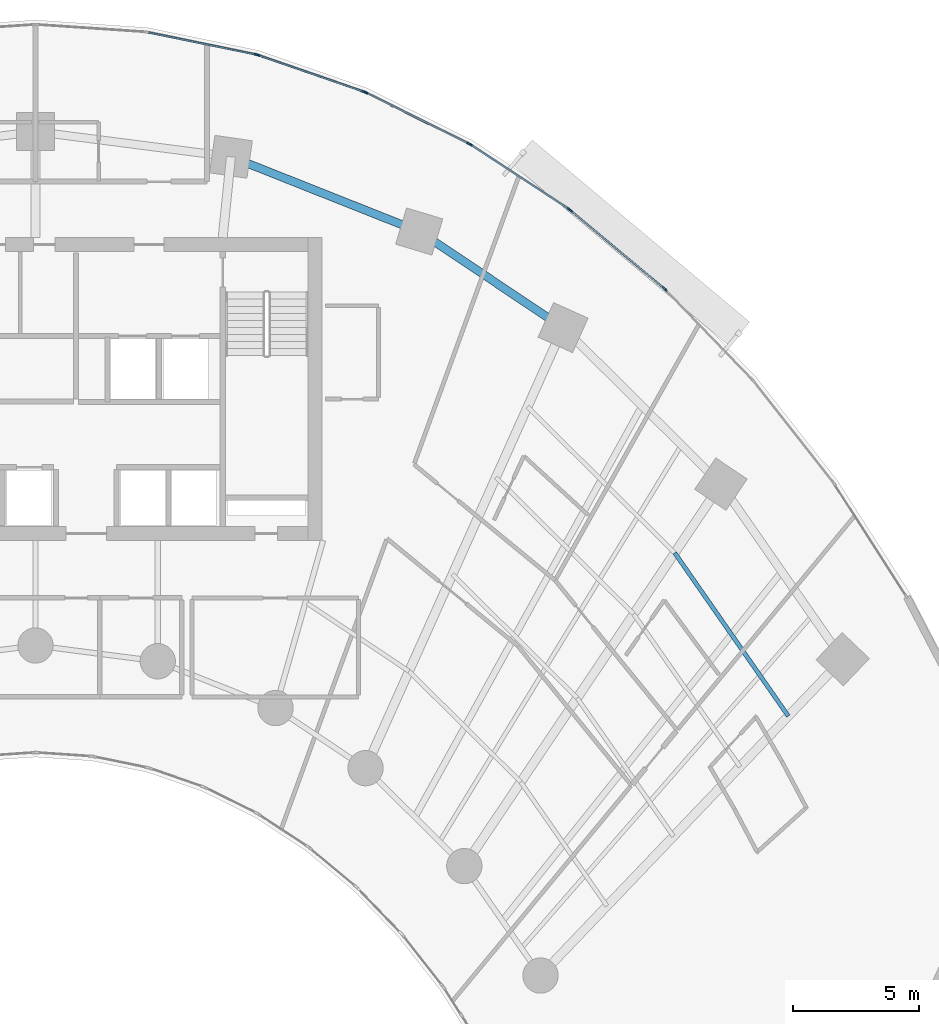
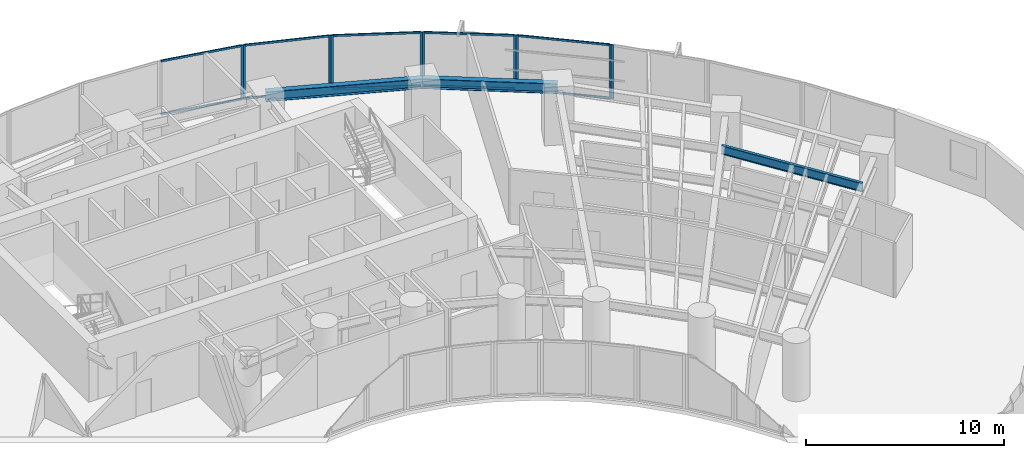
# One storey, part 7 of 17: 20 members, 3 beams, 6 elements without a shape of their own.
"""IFC4 building model written with IfcOpenShell, lengths in metres."""

from ifc_helpers import new_model, si_unit, direction, frame, origin, origin_2d, place, context, subcontext, project, spatial, rectangle, i_section, extrude, source, transform, mapped, material, layer, layer_set, material_profile, profile_set, type_object, type_shapes, element, aggregate, save


model = new_model("IFC4")

# Units and contexts
model_context = context("Model", 3, precision=1e-05, world=origin(), true_north=direction((0.0, 1.0)))
body_context = subcontext(model_context, "Body", "Model", "MODEL_VIEW")
ifc_project = project(units=[si_unit("LENGTHUNIT", "METRE"), si_unit("AREAUNIT", "SQUARE_METRE"), si_unit("VOLUMEUNIT", "CUBIC_METRE"), si_unit("PLANEANGLEUNIT", "RADIAN"), si_unit("MASSUNIT", "GRAM", prefix="KILO")], contexts=[model_context])

# Site, building, storey
site_placement = place(None, origin())
site = spatial("IfcSite", under=ifc_project, at=site_placement, CompositionType="ELEMENT")
building_placement = place(site_placement, origin())
building = spatial("IfcBuilding", under=site, at=building_placement, Name="Breltana Convention Tower", CompositionType="ELEMENT")
storey_placement = place(building_placement, frame((0.0, 0.0, 53.39990234375)))
storey = spatial("IfcBuildingStorey", under=building, at=storey_placement, Name="L11", CompositionType="ELEMENT", Elevation=53.39990234375)

# Beams
ifc_material_1 = material(Name="Steel ASTM A992 Grade 50", Category="steel")
ifc_material_profile_1 = material_profile(ifc_material_1, i_section(OverallWidth=0.323974609375, OverallDepth=0.611083984375, WebThickness=0.0126953125, FlangeThickness=0.01904296875, at=origin_2d()), Name="W24X104")
ifc_profile_set_1 = profile_set([ifc_material_profile_1], Name="Steel ASTM A992 Grade 50")
beam_type_1 = type_object("IfcBeamType", Name="BM-SP-W24X104", PredefinedType="SPANDREL", material=ifc_profile_set_1)
shared_shape_1 = source(origin(), body_context, "Body", "SweptSolid", [
    extrude(i_section(OverallWidth=0.323974609375, OverallDepth=0.611083984375, WebThickness=0.0126953125, FlangeThickness=0.01904296875, at=origin_2d()), origin(), (0.0, 0.0, 1.0), 8.028564453125),
])
beam_1_placement = place(storey_placement, frame((55.746826171875, 75.404296875, 3.0546875), z_axis=(0.929459100394, -0.368925169507, 0.0), x_axis=(0.368925169507, 0.929459100394, 0.0)))
element("IfcBeam", 1, at=beam_1_placement, inside=storey, type_object=beam_type_1, Name="L11 Outer Spandrel Beam 07", PredefinedType="SPANDREL", context=body_context, shape_type="MappedRepresentation", body=[
    mapped(shared_shape_1, transform((0.0, 0.0, 0.0), scale=1.0)),
])
shared_shape_2 = source(origin(), body_context, "Body", "SweptSolid", [
    extrude(i_section(OverallWidth=0.323974609375, OverallDepth=0.611083984375, WebThickness=0.0126953125, FlangeThickness=0.01904296875, at=origin_2d()), origin(), (0.0, 0.0, 1.0), 6.856689453125),
])
beam_2_placement = place(storey_placement, frame((63.208984375, 72.4423828125, 3.0546875), z_axis=(0.83150210718, -0.55552159792, 0.0), x_axis=(0.55552159792, 0.83150210718, 0.0)))
element("IfcBeam", 2, at=beam_2_placement, inside=storey, type_object=beam_type_1, Name="L11 Outer Spandrel Beam 08", PredefinedType="SPANDREL", context=body_context, shape_type="MappedRepresentation", body=[
    mapped(shared_shape_2, transform((0.0, 0.0, 0.0), scale=1.0)),
])
ifc_material_profile_2 = material_profile(ifc_material_1, i_section(OverallWidth=0.166015625, OverallDepth=0.534912109375, WebThickness=0.01025390625, FlangeThickness=0.0166015625, at=origin_2d()), Name="W21X57")
ifc_profile_set_2 = profile_set([ifc_material_profile_2], Name="Steel ASTM A992 Grade 50")
beam_type_2 = type_object("IfcBeamType", Name="BM-JSG-05", PredefinedType="JOIST", material=ifc_profile_set_2)
shared_shape_3 = source(origin(), body_context, "Body", "SweptSolid", [
    extrude(i_section(OverallWidth=0.166015625, OverallDepth=0.534912109375, WebThickness=0.01025390625, FlangeThickness=0.0166015625, at=origin_2d()), origin(), (0.0, 0.0, 1.0), 7.88037109375),
])
beam_3_placement = place(storey_placement, frame((73.3359375, 59.70556640625, 3.092529296875), z_axis=(0.571197916304, -0.820812366141, 0.0), x_axis=(0.820812366141, 0.571197916304, 0.0)))
element("IfcBeam", 3, at=beam_3_placement, inside=storey, type_object=beam_type_2, Name="L11 Composite Floor Joist 10.4", PredefinedType="JOIST", context=body_context, shape_type="MappedRepresentation", body=[
    mapped(shared_shape_3, transform((0.0, 0.0, 0.0), scale=1.0)),
])

# Curtain wall, member
ifc_material_2 = material(Name="Aluminium Anodised Bronze Frame", Category="aluminium")
ifc_layer = layer(ifc_material_2, 0.199951171875, Name="Aluminium Anodised Bronze Frame")
ifc_layer_set = layer_set([ifc_layer], Name="Aluminium Anodised Bronze Frame")
curtain_wall_type = type_object("IfcCurtainWallType", Name="CW-SYS-2", PredefinedType="NOTDEFINED", material=ifc_layer_set)
curtain_wall_1_placement = place(storey_placement, origin())
curtain_wall_1 = element("IfcCurtainWall", 4, at=curtain_wall_1_placement, inside=storey, type_object=curtain_wall_type, Name="L11 outer double-skin inner glazing 11", PredefinedType="NOTDEFINED")
ifc_material_3 = material(Name="Aluminium Anodised Bronze", Category="aluminium")
ifc_material_profile_3 = material_profile(ifc_material_3, rectangle(XDim=0.070068359375, YDim=0.175048828125, at=origin_2d()), Name="CWM-70X175")
ifc_profile_set_3 = profile_set([ifc_material_profile_3], Name="Aluminium Anodised Bronze")
member_type_1 = type_object("IfcMemberType", Name="CWM-175", PredefinedType="MULLION", material=ifc_profile_set_3)
shared_shape_4 = source(origin(), body_context, "Body", "SweptSolid", [
    extrude(rectangle(XDim=0.070068359375, YDim=0.175048828125, at=origin_2d()), origin(), (0.0, 0.0, 1.0), 3.360107421875),
])
type_shapes(member_type_1, [shared_shape_4])
member_1_placement = place(storey_placement, frame((56.7451171875, 79.45751953125, 0.0), z_axis=(0.0, 0.0, 1.0), x_axis=(0.200884537139, 0.979614925743, 0.0)))
member_1 = element("IfcMember", 5, at=member_1_placement, type_object=member_type_1, Name="CW-02 mullion 2", PredefinedType="MULLION", context=body_context, shape_type="MappedRepresentation", body=[
    mapped(shared_shape_4, transform((0.0, 0.0, 0.0), scale=1.0)),
])

# Curtain wall, members
curtain_wall_2_placement = place(storey_placement, origin())
curtain_wall_2 = element("IfcCurtainWall", 6, at=curtain_wall_2_placement, inside=storey, type_object=curtain_wall_type, Name="L11 outer double-skin inner glazing 12", PredefinedType="NOTDEFINED")
member_2_placement = place(storey_placement, frame((56.8125, 79.43896484375, 0.0), z_axis=(0.0, 0.0, 1.0), x_axis=(0.32742834581, 0.944876012163, 0.0)))
member_2 = element("IfcMember", 7, at=member_2_placement, type_object=member_type_1, Name="CW-02 mullion 1", PredefinedType="MULLION", context=body_context, shape_type="MappedRepresentation", body=[
    mapped(shared_shape_4, transform((0.0, 0.0, 0.0), scale=1.0)),
])
member_3_placement = place(storey_placement, frame((61.025146484375, 77.979248046875, 0.0), z_axis=(0.0, 0.0, 1.0), x_axis=(0.32742834581, 0.944876012163, 0.0)))
member_3 = element("IfcMember", 8, at=member_3_placement, type_object=member_type_1, Name="CW-02 mullion 2", PredefinedType="MULLION", context=body_context, shape_type="MappedRepresentation", body=[
    mapped(shared_shape_4, transform((0.0, 0.0, 0.0), scale=1.0)),
])

curtain_wall_3_placement = place(storey_placement, origin())
curtain_wall_3 = element("IfcCurtainWall", 9, at=curtain_wall_3_placement, inside=storey, type_object=curtain_wall_type, Name="L11 outer double-skin inner glazing 13", PredefinedType="NOTDEFINED")
member_4_placement = place(storey_placement, frame((61.089599609375, 77.9521484375, 0.0), z_axis=(0.0, 0.0, 1.0), x_axis=(0.444107703726, 0.895973407804, 0.0)))
member_4 = element("IfcMember", 10, at=member_4_placement, type_object=member_type_1, Name="CW-02 mullion 1", PredefinedType="MULLION", context=body_context, shape_type="MappedRepresentation", body=[
    mapped(shared_shape_4, transform((0.0, 0.0, 0.0), scale=1.0)),
])
member_5_placement = place(storey_placement, frame((65.1728515625, 75.92822265625, 0.0), z_axis=(0.0, 0.0, 1.0), x_axis=(0.444107703726, 0.895973407804, 0.0)))
member_5 = element("IfcMember", 11, at=member_5_placement, type_object=member_type_1, Name="CW-02 mullion 2", PredefinedType="MULLION", context=body_context, shape_type="MappedRepresentation", body=[
    mapped(shared_shape_4, transform((0.0, 0.0, 0.0), scale=1.0)),
])

curtain_wall_4_placement = place(storey_placement, origin())
curtain_wall_4 = element("IfcCurtainWall", 12, at=curtain_wall_4_placement, inside=storey, type_object=curtain_wall_type, Name="L11 outer double-skin inner glazing 14", PredefinedType="NOTDEFINED")
member_6_placement = place(storey_placement, frame((65.233642578125, 75.8935546875, 0.0), z_axis=(0.0, 0.0, 1.0), x_axis=(0.548784255746, 0.83596401875, 0.0)))
member_6 = element("IfcMember", 13, at=member_6_placement, type_object=member_type_1, Name="CW-02 mullion 1", PredefinedType="MULLION", context=body_context, shape_type="MappedRepresentation", body=[
    mapped(shared_shape_4, transform((0.0, 0.0, 0.0), scale=1.0)),
])
member_7_placement = place(storey_placement, frame((69.146484375, 73.32470703125, 0.0), z_axis=(0.0, 0.0, 1.0), x_axis=(0.548784255746, 0.83596401875, 0.0)))
member_7 = element("IfcMember", 14, at=member_7_placement, type_object=member_type_1, Name="CW-02 mullion 2", PredefinedType="MULLION", context=body_context, shape_type="MappedRepresentation", body=[
    mapped(shared_shape_4, transform((0.0, 0.0, 0.0), scale=1.0)),
])

curtain_wall_5_placement = place(storey_placement, origin())
curtain_wall_5 = element("IfcCurtainWall", 15, at=curtain_wall_5_placement, inside=storey, type_object=curtain_wall_type, Name="L11 outer double-skin inner glazing 15", PredefinedType="NOTDEFINED")
member_8_placement = place(storey_placement, frame((69.20263671875, 73.283203125, 0.0), z_axis=(0.0, 0.0, 1.0), x_axis=(0.640520193554, 0.767941326958, 0.0)))
member_8 = element("IfcMember", 16, at=member_8_placement, type_object=member_type_1, Name="CW-02 mullion 1", PredefinedType="MULLION", context=body_context, shape_type="MappedRepresentation", body=[
    mapped(shared_shape_4, transform((0.0, 0.0, 0.0), scale=1.0)),
])
member_9_placement = place(storey_placement, frame((72.90478515625, 70.1953125, 0.0), z_axis=(0.0, 0.0, 1.0), x_axis=(0.640520193554, 0.767941326958, 0.0)))
member_9 = element("IfcMember", 17, at=member_9_placement, type_object=member_type_1, Name="CW-02 mullion 2", PredefinedType="MULLION", context=body_context, shape_type="MappedRepresentation", body=[
    mapped(shared_shape_4, transform((0.0, 0.0, 0.0), scale=1.0)),
])

# Curtain wall, member
curtain_wall_6_placement = place(storey_placement, origin())
curtain_wall_6 = element("IfcCurtainWall", 18, at=curtain_wall_6_placement, inside=storey, type_object=curtain_wall_type, Name="L11 outer double-skin inner glazing 16", PredefinedType="NOTDEFINED")
member_10_placement = place(storey_placement, frame((72.955810546875, 70.147705078125, 0.0), z_axis=(0.0, 0.0, 1.0), x_axis=(0.719386421003, 0.694610090106, 0.0)))
member_10 = element("IfcMember", 19, at=member_10_placement, type_object=member_type_1, Name="CW-02 mullion 1", PredefinedType="MULLION", context=body_context, shape_type="MappedRepresentation", body=[
    mapped(shared_shape_4, transform((0.0, 0.0, 0.0), scale=1.0)),
])
aggregate(curtain_wall_6, [member_10])

# Member
ifc_material_profile_4 = material_profile(ifc_material_3, rectangle(XDim=0.070068359375, YDim=0.1201171875, at=origin_2d()), Name="CWT-70X120")
ifc_profile_set_4 = profile_set([ifc_material_profile_4], Name="Aluminium Anodised Bronze")
member_type_2 = type_object("IfcMemberType", Name="CWT-120", PredefinedType="USERDEFINED", material=ifc_profile_set_4)
shared_shape_5 = source(origin(), body_context, "Body", "SweptSolid", [
    extrude(rectangle(XDim=0.070068359375, YDim=0.1201171875, at=origin_2d()), origin(), (0.0, 0.0, 1.0), 4.7509765625),
])
member_11_placement = place(storey_placement, frame((69.2294921875, 73.2607421875, 0.03515625), z_axis=(0.767951631807, -0.64050783852, 0.0), x_axis=(0.64050783852, 0.767951631807, 0.0)))
member_11 = element("IfcMember", 20, at=member_11_placement, type_object=member_type_2, Name="CW-02 transom 1.1", ObjectType="TRANSOM", PredefinedType="USERDEFINED", context=body_context, shape_type="MappedRepresentation", body=[
    mapped(shared_shape_5, transform((0.0, 0.0, 0.0), scale=1.0)),
])

member_12_placement = place(storey_placement, frame((69.2294921875, 73.2607421875, 3.3251953125), z_axis=(0.767951631807, -0.64050783852, 0.0), x_axis=(0.64050783852, 0.767951631807, 0.0)))
member_12 = element("IfcMember", 21, at=member_12_placement, type_object=member_type_2, Name="CW-02 transom 1.2", ObjectType="TRANSOM", PredefinedType="USERDEFINED", context=body_context, shape_type="MappedRepresentation", body=[
    mapped(shared_shape_5, transform((0.0, 0.0, 0.0), scale=1.0)),
])

aggregate(curtain_wall_5, [member_8, member_9, member_11, member_12])

shared_shape_6 = source(origin(), body_context, "Body", "SweptSolid", [
    extrude(rectangle(XDim=0.070068359375, YDim=0.1201171875, at=origin_2d()), origin(), (0.0, 0.0, 1.0), 4.610595703125),
])
member_13_placement = place(storey_placement, frame((65.262939453125, 75.874267578125, 0.03515625), z_axis=(0.835956055104, -0.54879638659, 0.0), x_axis=(0.54879638659, 0.835956055104, 0.0)))
member_13 = element("IfcMember", 22, at=member_13_placement, type_object=member_type_2, Name="CW-02 transom 1.1", ObjectType="TRANSOM", PredefinedType="USERDEFINED", context=body_context, shape_type="MappedRepresentation", body=[
    mapped(shared_shape_6, transform((0.0, 0.0, 0.0), scale=1.0)),
])

member_14_placement = place(storey_placement, frame((65.262939453125, 75.874267578125, 3.3251953125), z_axis=(0.835956055104, -0.54879638659, 0.0), x_axis=(0.54879638659, 0.835956055104, 0.0)))
member_14 = element("IfcMember", 23, at=member_14_placement, type_object=member_type_2, Name="CW-02 transom 1.2", ObjectType="TRANSOM", PredefinedType="USERDEFINED", context=body_context, shape_type="MappedRepresentation", body=[
    mapped(shared_shape_6, transform((0.0, 0.0, 0.0), scale=1.0)),
])

aggregate(curtain_wall_4, [member_6, member_7, member_13, member_14])

shared_shape_7 = source(origin(), body_context, "Body", "SweptSolid", [
    extrude(rectangle(XDim=0.070068359375, YDim=0.1201171875, at=origin_2d()), origin(), (0.0, 0.0, 1.0), 4.487548828125),
])
member_15_placement = place(storey_placement, frame((61.120849609375, 77.936767578125, 0.03515625), z_axis=(0.895977728863, -0.444098986017, 0.0), x_axis=(0.444098986017, 0.895977728863, 0.0)))
member_15 = element("IfcMember", 24, at=member_15_placement, type_object=member_type_2, Name="CW-02 transom 1.1", ObjectType="TRANSOM", PredefinedType="USERDEFINED", context=body_context, shape_type="MappedRepresentation", body=[
    mapped(shared_shape_7, transform((0.0, 0.0, 0.0), scale=1.0)),
])

member_16_placement = place(storey_placement, frame((61.120849609375, 77.936767578125, 3.3251953125), z_axis=(0.895977728863, -0.444098986017, 0.0), x_axis=(0.444098986017, 0.895977728863, 0.0)))
member_16 = element("IfcMember", 25, at=member_16_placement, type_object=member_type_2, Name="CW-02 transom 1.2", ObjectType="TRANSOM", PredefinedType="USERDEFINED", context=body_context, shape_type="MappedRepresentation", body=[
    mapped(shared_shape_7, transform((0.0, 0.0, 0.0), scale=1.0)),
])

aggregate(curtain_wall_3, [member_4, member_5, member_15, member_16])

shared_shape_8 = source(origin(), body_context, "Body", "SweptSolid", [
    extrude(rectangle(XDim=0.070068359375, YDim=0.1201171875, at=origin_2d()), origin(), (0.0, 0.0, 1.0), 4.38818359375),
])
member_17_placement = place(storey_placement, frame((56.845703125, 79.427490234375, 0.03515625), z_axis=(0.944878203019, -0.32742202348, 0.0), x_axis=(0.32742202348, 0.944878203019, 0.0)))
member_17 = element("IfcMember", 26, at=member_17_placement, type_object=member_type_2, Name="CW-02 transom 1.1", ObjectType="TRANSOM", PredefinedType="USERDEFINED", context=body_context, shape_type="MappedRepresentation", body=[
    mapped(shared_shape_8, transform((0.0, 0.0, 0.0), scale=1.0)),
])

member_18_placement = place(storey_placement, frame((56.845703125, 79.427490234375, 3.3251953125), z_axis=(0.944878203019, -0.32742202348, 0.0), x_axis=(0.32742202348, 0.944878203019, 0.0)))
member_18 = element("IfcMember", 27, at=member_18_placement, type_object=member_type_2, Name="CW-02 transom 1.2", ObjectType="TRANSOM", PredefinedType="USERDEFINED", context=body_context, shape_type="MappedRepresentation", body=[
    mapped(shared_shape_8, transform((0.0, 0.0, 0.0), scale=1.0)),
])

aggregate(curtain_wall_2, [member_2, member_3, member_17, member_18])

shared_shape_9 = source(origin(), body_context, "Body", "SweptSolid", [
    extrude(rectangle(XDim=0.070068359375, YDim=0.1201171875, at=origin_2d()), origin(), (0.0, 0.0, 1.0), 4.318359375),
])
member_19_placement = place(storey_placement, frame((52.480712890625, 80.33203125, 0.03515625), z_axis=(0.979616680923, -0.200875977799, 0.0), x_axis=(0.200875977799, 0.979616680923, 0.0)))
member_19 = element("IfcMember", 28, at=member_19_placement, type_object=member_type_2, Name="CW-02 transom 1.1", ObjectType="TRANSOM", PredefinedType="USERDEFINED", context=body_context, shape_type="MappedRepresentation", body=[
    mapped(shared_shape_9, transform((0.0, 0.0, 0.0), scale=1.0)),
])

member_20_placement = place(storey_placement, frame((52.480712890625, 80.33203125, 3.3251953125), z_axis=(0.979616680923, -0.200875977799, 0.0), x_axis=(0.200875977799, 0.979616680923, 0.0)))
member_20 = element("IfcMember", 29, at=member_20_placement, type_object=member_type_2, Name="CW-02 transom 1.2", ObjectType="TRANSOM", PredefinedType="USERDEFINED", context=body_context, shape_type="MappedRepresentation", body=[
    mapped(shared_shape_9, transform((0.0, 0.0, 0.0), scale=1.0)),
])

aggregate(curtain_wall_1, [member_1, member_19, member_20])

save(model, "model.ifc")
